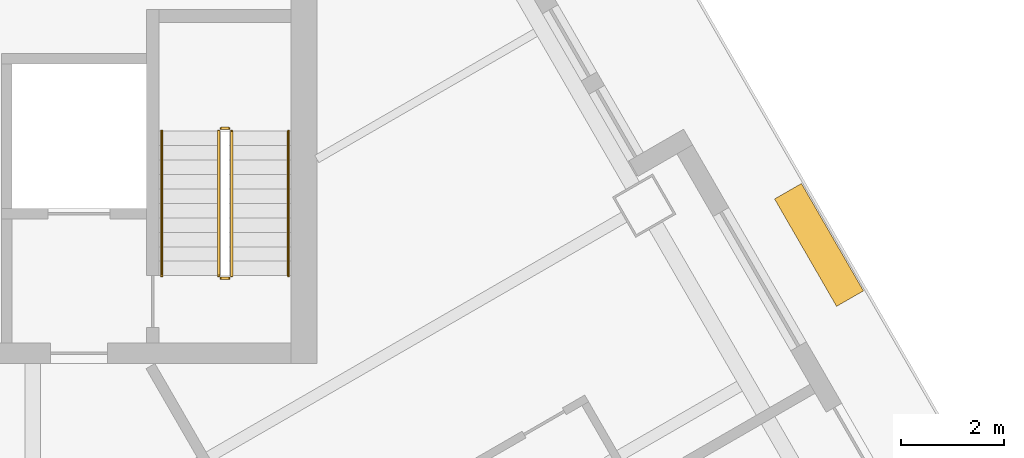
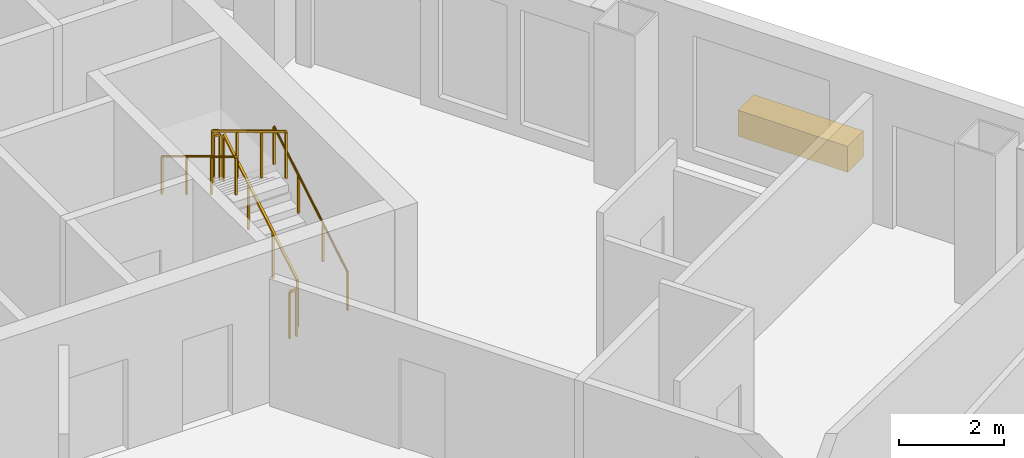
# One storey, part 14 of 14: 6 railings, 1 covering.
"""IFC4 building model written with IfcOpenShell, lengths in metres."""

from ifc_helpers import new_model, si_unit, direction, frame, origin, origin_2d, place, context, subcontext, project, spatial, rectangle, circle, extrude, material, type_object, element, save


model = new_model("IFC4")

# Units and contexts
model_context = context("Model", 3, precision=1e-05, world=origin(), true_north=direction((0.0, 1.0)))
body_context = subcontext(model_context, "Body", "Model", "MODEL_VIEW")
ifc_project = project(units=[si_unit("LENGTHUNIT", "METRE"), si_unit("AREAUNIT", "SQUARE_METRE"), si_unit("VOLUMEUNIT", "CUBIC_METRE"), si_unit("PLANEANGLEUNIT", "RADIAN"), si_unit("MASSUNIT", "GRAM", prefix="KILO")], contexts=[model_context])

# Site, building, storey
site_placement = place(None, origin())
site = spatial("IfcSite", under=ifc_project, at=site_placement, CompositionType="ELEMENT")
building_placement = place(site_placement, origin())
building = spatial("IfcBuilding", under=site, at=building_placement, Name="Apuvela Tower Hotel", CompositionType="ELEMENT")
storey_placement = place(building_placement, frame((0.0, 0.0, 109.39990234375)))
storey = spatial("IfcBuildingStorey", under=building, at=storey_placement, Name="L25", CompositionType="ELEMENT", Elevation=109.39990234375)

# Railings
ifc_material_1 = material(Name="Steel S275 balustrade", Category="steel")
railing_type_1 = type_object("IfcRailingType", Name="COR-GUARD-1100", PredefinedType="GUARDRAIL", material=ifc_material_1)
railing_1_placement = place(storey_placement, frame((3.85009765625, 14.60009765625, 0.168212890625)))
element("IfcRailing", 1, at=railing_1_placement, inside=storey, type_object=railing_type_1, Name="L25 ST1 stair guard 1", PredefinedType="GUARDRAIL", context=body_context, shape_type="SweptSolid", body=[
    extrude(rectangle(XDim=0.048095703125, YDim=0.048095703125, at=origin_2d()), frame((0.0, 0.0, 1.076171875), z_axis=(0.0, 0.857222391501, 0.514946377315), x_axis=(-1.0, 0.0, 0.0)), (0.0, 0.0, 1.0), 3.26611328125),
    extrude(rectangle(XDim=0.0419921875, YDim=0.0419921875, at=origin_2d()), origin(), (0.0, 0.0, 1.0), 1.052001953125),
    extrude(rectangle(XDim=0.0419921875, YDim=0.0419921875, at=origin_2d()), frame((0.0, 0.933349609375, 0.560546875)), (0.0, 0.0, 1.0), 1.052001953125),
    extrude(rectangle(XDim=0.0419921875, YDim=0.0419921875, at=origin_2d()), frame((0.0, 1.866455078125, 1.121337890625)), (0.0, 0.0, 1.0), 1.052001953125),
    extrude(rectangle(XDim=0.0419921875, YDim=0.0419921875, at=origin_2d()), frame((0.0, 2.7998046875, 1.681884765625)), (0.0, 0.0, 1.0), 1.052001953125),
])
railing_2_placement = place(storey_placement, frame((3.800048828125, 17.449951171875, 1.85009765625)))
element("IfcRailing", 2, at=railing_2_placement, inside=storey, type_object=railing_type_1, Name="L25 ST1 stair guard 2", PredefinedType="GUARDRAIL", context=body_context, shape_type="SweptSolid", body=[
    extrude(rectangle(XDim=0.048095703125, YDim=0.048095703125, at=origin_2d()), frame((0.0, 0.0, 1.076171875), z_axis=(-1.0, 0.0, 0.0), x_axis=(0.0, -1.0, 0.0)), (0.0, 0.0, 1.0), 0.150146484375),
    extrude(rectangle(XDim=0.0419921875, YDim=0.0419921875, at=origin_2d()), origin(), (0.0, 0.0, 1.0), 1.052001953125),
    extrude(rectangle(XDim=0.0419921875, YDim=0.0419921875, at=origin_2d()), frame((-0.150146484375, 0.0, 0.0)), (0.0, 0.0, 1.0), 1.052001953125),
])
railing_3_placement = place(storey_placement, frame((3.60009765625, 17.39990234375, 2.018310546875)))
element("IfcRailing", 3, at=railing_3_placement, inside=storey, type_object=railing_type_1, Name="L25 ST1 stair guard 3", PredefinedType="GUARDRAIL", context=body_context, shape_type="SweptSolid", body=[
    extrude(rectangle(XDim=0.048095703125, YDim=0.048095703125, at=origin_2d()), frame((0.0, 0.0, 1.076171875), z_axis=(0.0, -0.857222391501, 0.514946377315), x_axis=(1.0, 0.0, 0.0)), (0.0, 0.0, 1.0), 3.26611328125),
    extrude(rectangle(XDim=0.0419921875, YDim=0.0419921875, at=origin_2d()), origin(), (0.0, 0.0, 1.0), 1.052001953125),
    extrude(rectangle(XDim=0.0419921875, YDim=0.0419921875, at=origin_2d()), frame((0.0, -0.933349609375, 0.560546875)), (0.0, 0.0, 1.0), 1.052001953125),
    extrude(rectangle(XDim=0.0419921875, YDim=0.0419921875, at=origin_2d()), frame((0.0, -1.866455078125, 1.121337890625)), (0.0, 0.0, 1.0), 1.052001953125),
    extrude(rectangle(XDim=0.0419921875, YDim=0.0419921875, at=origin_2d()), frame((0.0, -2.7998046875, 1.681884765625)), (0.0, 0.0, 1.0), 1.052001953125),
])
railing_4_placement = place(storey_placement, frame((3.800048828125, 14.550048828125, 0.0)))
element("IfcRailing", 4, at=railing_4_placement, inside=storey, type_object=railing_type_1, Name="L25 ST1 stair guard 4", PredefinedType="GUARDRAIL", context=body_context, shape_type="SweptSolid", body=[
    extrude(rectangle(XDim=0.048095703125, YDim=0.048095703125, at=origin_2d()), frame((0.0, 0.0, 1.076171875), z_axis=(-1.0, 0.0, 0.0), x_axis=(0.0, -1.0, 0.0)), (0.0, 0.0, 1.0), 0.150146484375),
    extrude(rectangle(XDim=0.0419921875, YDim=0.0419921875, at=origin_2d()), origin(), (0.0, 0.0, 1.0), 1.052001953125),
    extrude(rectangle(XDim=0.0419921875, YDim=0.0419921875, at=origin_2d()), frame((-0.150146484375, 0.0, 0.0)), (0.0, 0.0, 1.0), 1.052001953125),
])
ifc_material_2 = material(Name="Stainless steel 316 handrail", Category="steel")
railing_type_2 = type_object("IfcRailingType", Name="COR-HANDRAIL-900", PredefinedType="HANDRAIL", material=ifc_material_2)
railing_5_placement = place(storey_placement, frame((4.949951171875, 14.60009765625, 0.168212890625)))
element("IfcRailing", 5, at=railing_5_placement, inside=storey, type_object=railing_type_2, Name="L25 ST1 stair handrail 1", PredefinedType="HANDRAIL", context=body_context, shape_type="SweptSolid", body=[
    extrude(circle(Radius=0.02392578125, at=origin_2d()), frame((0.0, 0.0, 0.8759765625), z_axis=(0.0, 0.857222391501, 0.514946377315), x_axis=(-1.0, 0.0, 0.0)), (0.0, 0.0, 1.0), 3.26611328125),
    extrude(rectangle(XDim=0.0419921875, YDim=0.0419921875, at=origin_2d()), origin(), (0.0, 0.0, 1.0), 0.851806640625),
    extrude(rectangle(XDim=0.0419921875, YDim=0.0419921875, at=origin_2d()), frame((0.0, 0.933349609375, 0.560546875)), (0.0, 0.0, 1.0), 0.851806640625),
    extrude(rectangle(XDim=0.0419921875, YDim=0.0419921875, at=origin_2d()), frame((0.0, 1.866455078125, 1.121337890625)), (0.0, 0.0, 1.0), 0.851806640625),
    extrude(rectangle(XDim=0.0419921875, YDim=0.0419921875, at=origin_2d()), frame((0.0, 2.7998046875, 1.681884765625)), (0.0, 0.0, 1.0), 0.851806640625),
])
railing_6_placement = place(storey_placement, frame((2.5, 17.39990234375, 2.018310546875)))
element("IfcRailing", 6, at=railing_6_placement, inside=storey, type_object=railing_type_2, Name="L25 ST1 stair handrail 2", PredefinedType="HANDRAIL", context=body_context, shape_type="SweptSolid", body=[
    extrude(circle(Radius=0.02392578125, at=origin_2d()), frame((0.0, 0.0, 0.8759765625), z_axis=(0.0, -0.857222391501, 0.514946377315), x_axis=(1.0, 0.0, 0.0)), (0.0, 0.0, 1.0), 3.26611328125),
    extrude(rectangle(XDim=0.0419921875, YDim=0.0419921875, at=origin_2d()), origin(), (0.0, 0.0, 1.0), 0.851806640625),
    extrude(rectangle(XDim=0.0419921875, YDim=0.0419921875, at=origin_2d()), frame((0.0, -0.933349609375, 0.560546875)), (0.0, 0.0, 1.0), 0.851806640625),
    extrude(rectangle(XDim=0.0419921875, YDim=0.0419921875, at=origin_2d()), frame((0.0, -1.866455078125, 1.121337890625)), (0.0, 0.0, 1.0), 0.851806640625),
    extrude(rectangle(XDim=0.0419921875, YDim=0.0419921875, at=origin_2d()), frame((0.0, -2.7998046875, 1.681884765625)), (0.0, 0.0, 1.0), 0.851806640625),
])

# Covering
ifc_material_3 = material(Name="Planting substrate and soil, planted")
covering_type = type_object("IfcCoveringType", Name="ENV-PLANTER-2400x600", PredefinedType="USERDEFINED", material=ifc_material_3)
covering_placement = place(storey_placement, frame((15.221435546875, 15.19580078125, 0.0), z_axis=(0.0, 0.0, 1.0), x_axis=(-0.5, 0.866025403784, 0.0)))
element("IfcCovering", 7, at=covering_placement, inside=storey, type_object=covering_type, Name="Planter NE3", ObjectType="PLANTER", PredefinedType="USERDEFINED", context=body_context, shape_type="SweptSolid", body=[
    extrude(rectangle(XDim=2.39990234375, YDim=0.60009765625, at=origin_2d()), origin(), (0.0, 0.0, 1.0), 0.60009765625),
])

save(model, "model.ifc")
